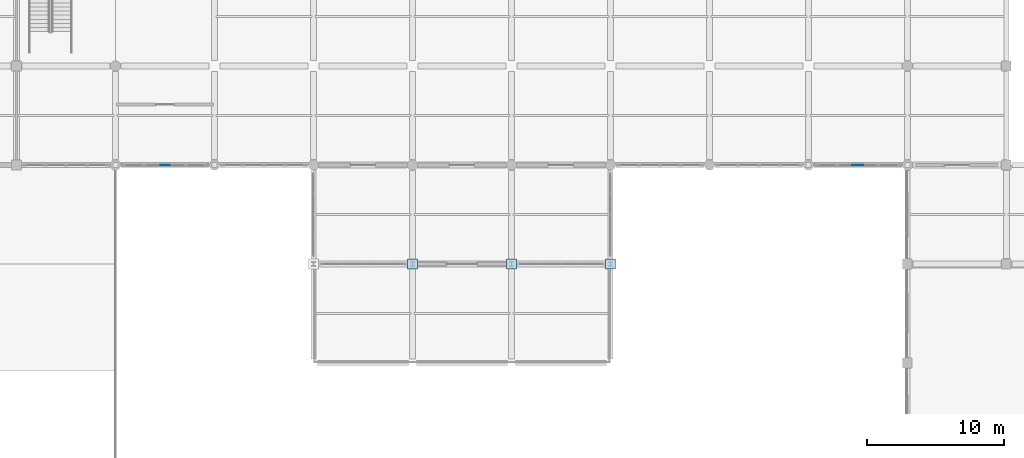
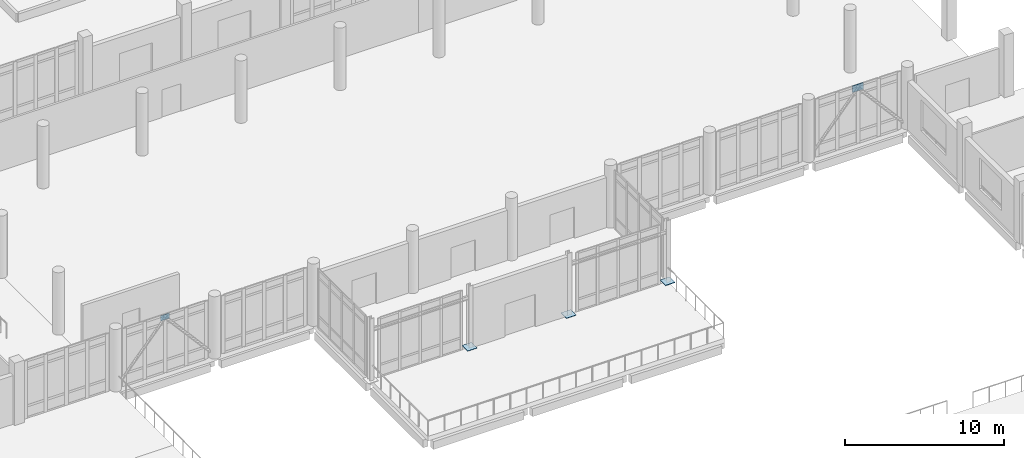
# One storey, part 34 of 59: 5 plates.
"""IFC4 building model written with IfcOpenShell, lengths in metres."""

from ifc_helpers import new_model, si_unit, direction, frame, origin, origin_2d, place, context, subcontext, project, spatial, rectangle, extrude, material, type_object, element, save


model = new_model("IFC4")

# Units and contexts
model_context = context("Model", 3, precision=1e-05, world=origin(), true_north=direction((0.0, 1.0)))
body_context = subcontext(model_context, "Body", "Model", "MODEL_VIEW")
ifc_project = project(units=[si_unit("LENGTHUNIT", "METRE"), si_unit("AREAUNIT", "SQUARE_METRE"), si_unit("VOLUMEUNIT", "CUBIC_METRE"), si_unit("PLANEANGLEUNIT", "RADIAN"), si_unit("MASSUNIT", "GRAM", prefix="KILO")], contexts=[model_context])

# Site, building, storey
site_placement = place(None, origin())
site = spatial("IfcSite", under=ifc_project, at=site_placement, CompositionType="ELEMENT")
building_placement = place(site_placement, origin())
building = spatial("IfcBuilding", under=site, at=building_placement, Name="Valkovuoma Quantum and Materials Research Institute", CompositionType="ELEMENT")
storey_placement = place(building_placement, origin())
storey = spatial("IfcBuildingStorey", under=building, at=storey_placement, Name="L00", CompositionType="ELEMENT", Elevation=0.0)

# Plates
ifc_material_1 = material(Name="Steel S355J2", Category="steel")
plate_type_1 = type_object("IfcPlateType", Name="Plate-PL-BAS3", PredefinedType="USERDEFINED", material=ifc_material_1)
for number, where, z_axis, x_axis, name in (
    (1, (64.800048828125, 28.800048828125, 0.0), (0.0, 0.0, 1.0), (1.0, 0.0, 0.0), "L00 base plate 10E"),
    (2, (72.0, 28.800048828125, 0.0), (0.0, 0.0, 1.0), (1.0, 0.0, 0.0), "L00 base plate 11E"),
    (3, (79.199951171875, 28.800048828125, 0.0), (0.0, 0.0, 1.0), (1.0, 0.0, 0.0), "L00 base plate 12E"),
):
    element("IfcPlate", number, at=place(storey_placement, frame(where, z_axis=z_axis, x_axis=x_axis)), inside=storey, type_object=plate_type_1, Name=name, ObjectType="BASE_PLATE", PredefinedType="USERDEFINED", context=body_context, shape_type="SweptSolid", body=[
        extrude(rectangle(XDim=0.699951171875, YDim=0.699951171875, at=origin_2d()), origin(), (0.0, 0.0, 1.0), 0.030029296875),
    ])
ifc_material_2 = material(Name="Steel S355J2", Category="steel")
plate_type_2 = type_object("IfcPlateType", Name="Plate-PL-SHT2", PredefinedType="SHEET", material=ifc_material_2)
plate_1_placement = place(storey_placement, frame((46.800048828125, 36.0, 4.0400390625), z_axis=(0.0, 0.0, 1.0), x_axis=(1.0, 0.0, 0.0)))
element("IfcPlate", 4, at=plate_1_placement, inside=storey, type_object=plate_type_2, Name="L00 chevron node sheet plate 01", PredefinedType="SHEET", context=body_context, shape_type="SweptSolid", body=[
    extrude(rectangle(XDim=0.64990234375, YDim=0.02001953125, at=origin_2d()), origin(), (0.0, 0.0, 1.0), 0.419921875),
])
ifc_material_3 = material(Name="Steel S355J2", Category="steel")
plate_type_3 = type_object("IfcPlateType", Name="Plate-PL-SHT3", PredefinedType="SHEET", material=ifc_material_3)
plate_2_placement = place(storey_placement, frame((97.199951171875, 36.0, 3.989990234375), z_axis=(0.0, 0.0, 1.0), x_axis=(1.0, 0.0, 0.0)))
element("IfcPlate", 5, at=plate_2_placement, inside=storey, type_object=plate_type_3, Name="L00 chevron node sheet plate 05", PredefinedType="SHEET", context=body_context, shape_type="SweptSolid", body=[
    extrude(rectangle(XDim=0.800048828125, YDim=0.02490234375, at=origin_2d()), origin(), (0.0, 0.0, 1.0), 0.52001953125),
])

save(model, "model.ifc")
